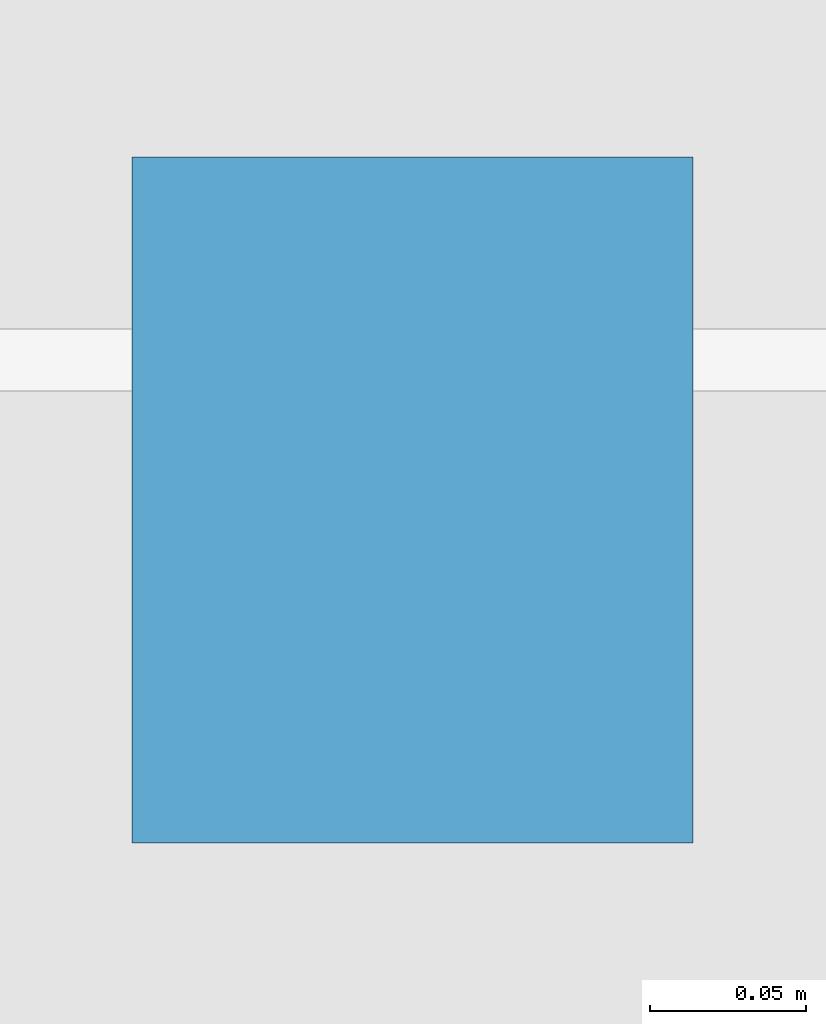
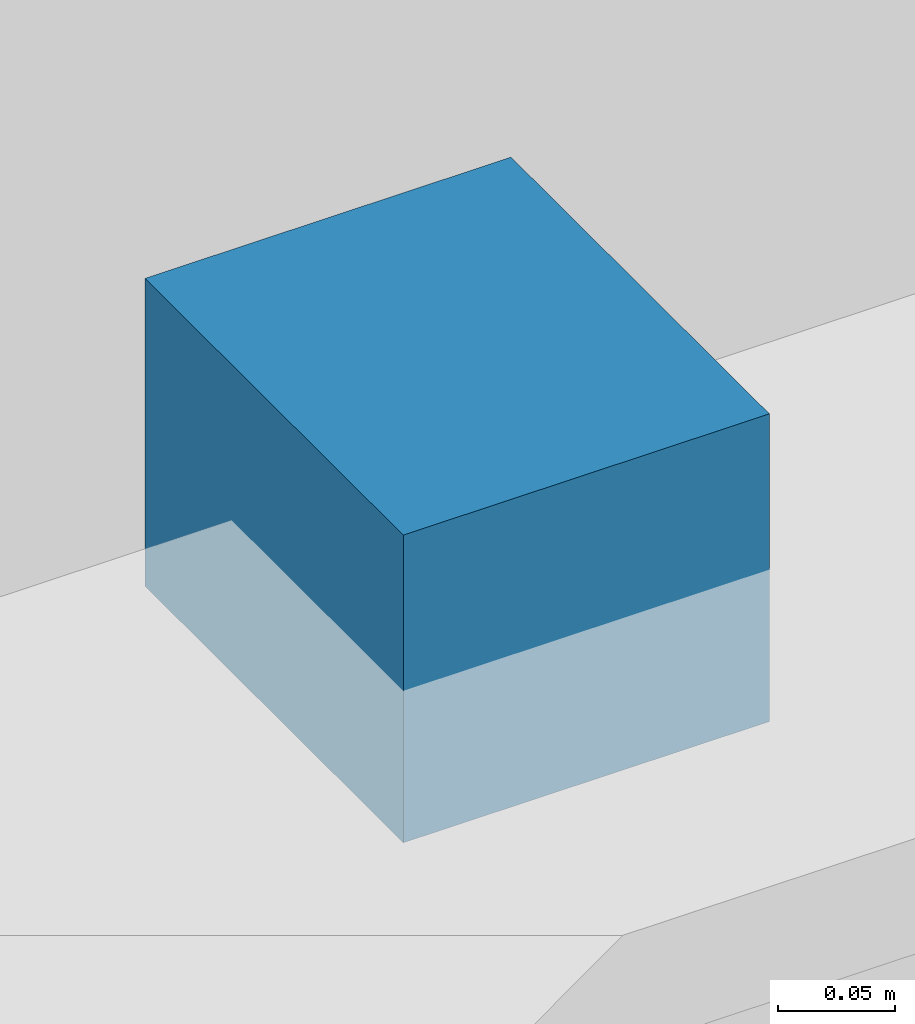
# One storey, part 46 of 56: 1 discrete accessory.
"""IFC4 building model written with IfcOpenShell, lengths in metres."""

from ifc_helpers import new_model, si_unit, direction, frame, origin, origin_2d, place, context, subcontext, project, spatial, rectangle, extrude, material, type_object, element, save


model = new_model("IFC4")

# Units and contexts
model_context = context("Model", 3, precision=1e-05, world=origin(), true_north=direction((0.0, 1.0)))
body_context = subcontext(model_context, "Body", "Model", "MODEL_VIEW")
ifc_project = project(units=[si_unit("LENGTHUNIT", "METRE"), si_unit("AREAUNIT", "SQUARE_METRE"), si_unit("VOLUMEUNIT", "CUBIC_METRE"), si_unit("PLANEANGLEUNIT", "RADIAN"), si_unit("MASSUNIT", "GRAM", prefix="KILO")], contexts=[model_context])

# Site, building, storey
site_placement = place(None, origin())
site = spatial("IfcSite", under=ifc_project, at=site_placement, CompositionType="ELEMENT")
building_placement = place(site_placement, origin())
building = spatial("IfcBuilding", under=site, at=building_placement, Name="Suanplinth Sawtooth Commons", CompositionType="ELEMENT")
storey_placement = place(building_placement, frame((0.0, 0.0, 34.800048828125)))
storey = spatial("IfcBuildingStorey", under=building, at=storey_placement, Name="L10", CompositionType="ELEMENT", Elevation=34.800048828125)

# Discrete accessory
ifc_material = material(Name="Stainless steel Grade 316", Category="steel")
discrete_accessory_type = type_object("IfcDiscreteAccessoryType", Name="ACC-01", PredefinedType="BRACKET", material=ifc_material)
discrete_accessory_placement = place(storey_placement, frame((162.0, -1.699951171875, 2.89990234375), z_axis=(0.0, 0.0, 1.0), x_axis=(1.0, 0.0, 0.0)))
element("IfcDiscreteAccessory", 1, at=discrete_accessory_placement, inside=storey, type_object=discrete_accessory_type, Name="Louvre Fixing Bracket L10-C-1", PredefinedType="BRACKET", context=body_context, shape_type="SweptSolid", body=[
    extrude(rectangle(XDim=0.179931640625, YDim=0.219970703125, at=origin_2d()), origin(), (0.0, 0.0, 1.0), 0.159912109375),
])

save(model, "model.ifc")
